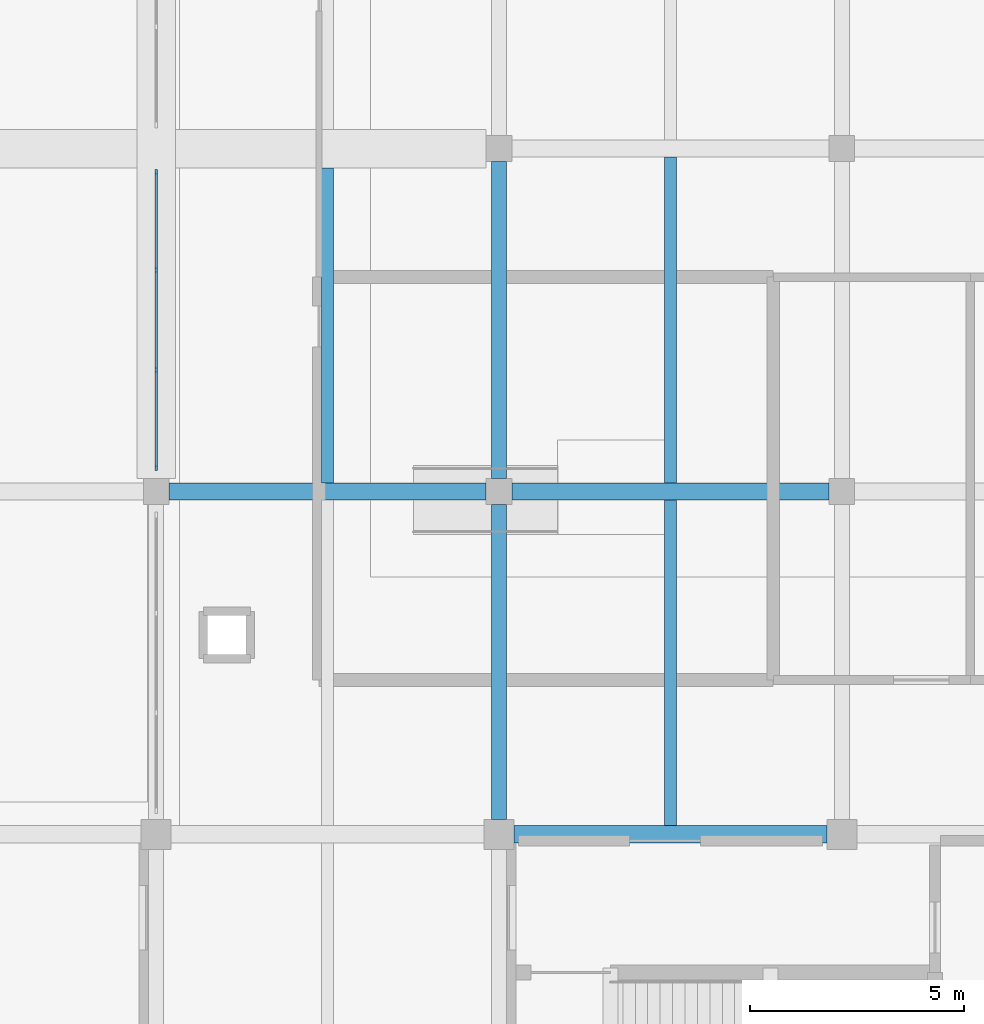
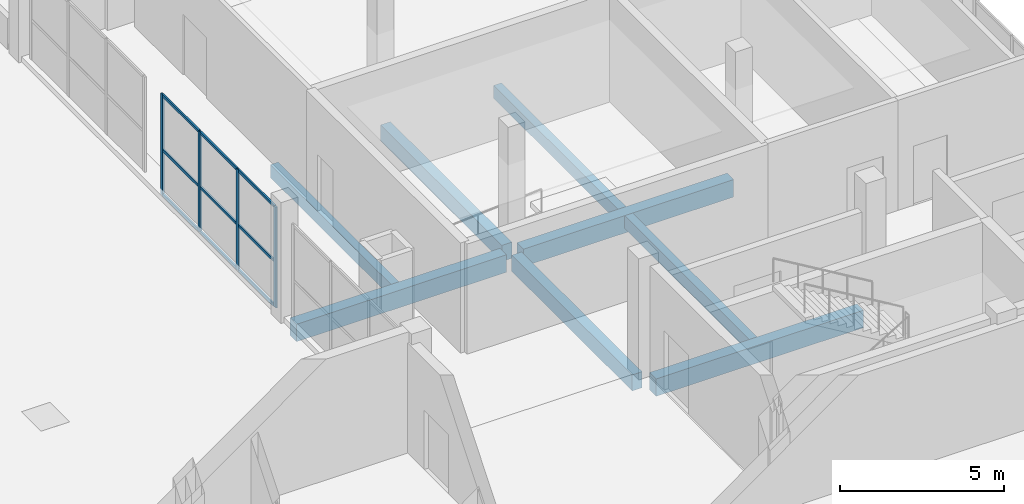
# One storey, part 3 of 14: 13 members, 8 beams, 1 element without a shape of its own.
"""IFC4 building model written with IfcOpenShell, lengths in metres."""

from ifc_helpers import new_model, si_unit, direction, frame, origin, origin_2d, place, context, subcontext, project, spatial, rectangle, extrude, material, layer, layer_set, material_profile, profile_set, type_object, element, aggregate, save


model = new_model("IFC4")

# Units and contexts
model_context = context("Model", 3, precision=1e-05, world=origin(), true_north=direction((0.0, 1.0)))
body_context = subcontext(model_context, "Body", "Model", "MODEL_VIEW")
ifc_project = project(units=[si_unit("LENGTHUNIT", "METRE"), si_unit("AREAUNIT", "SQUARE_METRE"), si_unit("VOLUMEUNIT", "CUBIC_METRE"), si_unit("PLANEANGLEUNIT", "RADIAN"), si_unit("MASSUNIT", "GRAM", prefix="KILO")], contexts=[model_context])

# Site, building, storey
site_placement = place(None, origin())
site = spatial("IfcSite", under=ifc_project, at=site_placement, CompositionType="ELEMENT")
building_placement = place(site_placement, origin())
building = spatial("IfcBuilding", under=site, at=building_placement, Name="Qorikala Patio Media Centre", CompositionType="ELEMENT")
storey_placement = place(building_placement, frame((0.0, 0.0, 23.39990234375)))
storey = spatial("IfcBuildingStorey", under=building, at=storey_placement, Name="L05", CompositionType="ELEMENT", Elevation=23.39990234375)

# Beams
ifc_material_1 = material(Name="Concrete C35/45", Category="concrete")
ifc_material_profile_1 = material_profile(ifc_material_1, rectangle(XDim=0.35009765625, YDim=0.60009765625, at=origin_2d()), Name="RC 350x600")
ifc_profile_set_1 = profile_set([ifc_material_profile_1], Name="Concrete C35/45")
beam_type_1 = type_object("IfcBeamType", Name="BM-G350X600", PredefinedType="BEAM", material=ifc_profile_set_1)
beam_1_placement = place(storey_placement, frame((27.0, 35.35009765625, -0.599853515625), z_axis=(0.0, 1.0, 0.0), x_axis=(-1.0, 0.0, 0.0)))
element("IfcBeam", 1, at=beam_1_placement, inside=storey, type_object=beam_type_1, Name="L05 Grid X=27 Beam 1586", PredefinedType="BEAM", context=body_context, shape_type="SweptSolid", body=[
    extrude(rectangle(XDim=0.35009765625, YDim=0.60009765625, at=origin_2d()), origin(), (0.0, 0.0, 1.0), 7.349853515625),
])
beam_2_placement = place(storey_placement, frame((27.0, 43.300048828125, -0.599853515625), z_axis=(0.0, 1.0, 0.0), x_axis=(-1.0, 0.0, 0.0)))
element("IfcBeam", 2, at=beam_2_placement, inside=storey, type_object=beam_type_1, Name="L05 Grid X=27 Beam 1587", PredefinedType="BEAM", context=body_context, shape_type="SweptSolid", body=[
    extrude(rectangle(XDim=0.35009765625, YDim=0.60009765625, at=origin_2d()), origin(), (0.0, 0.0, 1.0), 7.39990234375),
])
ifc_material_profile_2 = material_profile(ifc_material_1, rectangle(XDim=0.39990234375, YDim=0.64990234375, at=origin_2d()), Name="RC 400x650")
ifc_profile_set_2 = profile_set([ifc_material_profile_2], Name="Concrete C35/45")
beam_type_2 = type_object("IfcBeamType", Name="BM-G400X650", PredefinedType="BEAM", material=ifc_profile_set_2)
beam_3_placement = place(storey_placement, frame((27.35009765625, 35.0, -0.625), z_axis=(1.0, 0.0, 0.0), x_axis=(0.0, 1.0, 0.0)))
element("IfcBeam", 3, at=beam_3_placement, inside=storey, type_object=beam_type_2, Name="L05 Grid 35 Beam 1534", PredefinedType="BEAM", context=body_context, shape_type="SweptSolid", body=[
    extrude(rectangle(XDim=0.39990234375, YDim=0.64990234375, at=origin_2d()), origin(), (0.0, 0.0, 1.0), 7.2998046875),
])
for number, where, z_axis, x_axis, name in (
    (4, (19.300048828125, 43.0, -0.625), (1.0, 0.0, 0.0), (0.0, 1.0, 0.0), "L05 Grid 43 Beam 1538"),
    (5, (27.300048828125, 43.0, -0.625), (1.0, 0.0, 0.0), (0.0, 1.0, 0.0), "L05 Grid 43 Beam 1539"),
):
    element("IfcBeam", number, at=place(storey_placement, frame(where, z_axis=z_axis, x_axis=x_axis)), inside=storey, type_object=beam_type_2, Name=name, PredefinedType="BEAM", context=body_context, shape_type="SweptSolid", body=[
        extrude(rectangle(XDim=0.39990234375, YDim=0.64990234375, at=origin_2d()), origin(), (0.0, 0.0, 1.0), 7.39990234375),
    ])

# Curtain wall, members
ifc_material_2 = material(Name="Bronze Anodised Aluminium and Low-E Glass", Category="aluminium")
ifc_layer = layer(ifc_material_2, 0.159912109375)
ifc_layer_set = layer_set([ifc_layer], Name="Bronze Anodised Aluminium and Low-E Glass")
curtain_wall_type = type_object("IfcCurtainWallType", Name="CW-PAV-696X375", PredefinedType="USERDEFINED", material=ifc_layer_set)
curtain_wall_placement = place(storey_placement, origin())
curtain_wall = element("IfcCurtainWall", 6, at=curtain_wall_placement, inside=storey, type_object=curtain_wall_type, Name="L05 Courtyard Curtain Wall 093", ObjectType="COURTYARD CURTAIN WALL", PredefinedType="USERDEFINED")
ifc_material_3 = material(Name="Bronze Anodised Aluminium", Category="aluminium")
ifc_material_profile_3 = material_profile(ifc_material_3, rectangle(XDim=0.06005859375, YDim=0.1298828125, at=origin_2d()), Name="ALU MULLION 60x130")
ifc_profile_set_3 = profile_set([ifc_material_profile_3], Name="Bronze Anodised Aluminium")
member_type_1 = type_object("IfcMemberType", Name="CWM-60X130", PredefinedType="MULLION", material=ifc_profile_set_3)
member_1_placement = place(storey_placement, frame((19.0, 43.550048828125, 0.0), z_axis=(0.0, 0.0, 1.0), x_axis=(-1.0, 0.0, 0.0)))
member_1 = element("IfcMember", 7, at=member_1_placement, type_object=member_type_1, Name="CWP696375 mullion 1", PredefinedType="MULLION", context=body_context, shape_type="SweptSolid", body=[
    extrude(rectangle(XDim=0.06005859375, YDim=0.1298828125, at=origin_2d()), origin(), (0.0, 0.0, 1.0), 3.75),
])
member_2_placement = place(storey_placement, frame((19.0, 45.840087890625, 0.0), z_axis=(0.0, 0.0, 1.0), x_axis=(-1.0, 0.0, 0.0)))
member_2 = element("IfcMember", 8, at=member_2_placement, type_object=member_type_1, Name="CWP696375 mullion 2", PredefinedType="MULLION", context=body_context, shape_type="SweptSolid", body=[
    extrude(rectangle(XDim=0.06005859375, YDim=0.1298828125, at=origin_2d()), origin(), (0.0, 0.0, 1.0), 3.75),
])
member_3_placement = place(storey_placement, frame((19.0, 48.159912109375, 0.0), z_axis=(0.0, 0.0, 1.0), x_axis=(-1.0, 0.0, 0.0)))
member_3 = element("IfcMember", 9, at=member_3_placement, type_object=member_type_1, Name="CWP696375 mullion 3", PredefinedType="MULLION", context=body_context, shape_type="SweptSolid", body=[
    extrude(rectangle(XDim=0.06005859375, YDim=0.1298828125, at=origin_2d()), origin(), (0.0, 0.0, 1.0), 3.75),
])
member_4_placement = place(storey_placement, frame((19.0, 50.449951171875, 0.0), z_axis=(0.0, 0.0, 1.0), x_axis=(-1.0, 0.0, 0.0)))
member_4 = element("IfcMember", 10, at=member_4_placement, type_object=member_type_1, Name="CWP696375 mullion 4", PredefinedType="MULLION", context=body_context, shape_type="SweptSolid", body=[
    extrude(rectangle(XDim=0.06005859375, YDim=0.1298828125, at=origin_2d()), origin(), (0.0, 0.0, 1.0), 3.75),
])
ifc_material_profile_4 = material_profile(ifc_material_3, rectangle(XDim=0.06005859375, YDim=0.10009765625, at=origin_2d()), Name="ALU TRANSOM 60x100")
ifc_profile_set_4 = profile_set([ifc_material_profile_4], Name="Bronze Anodised Aluminium")
member_type_2 = type_object("IfcMemberType", Name="CWT-60X100", PredefinedType="USERDEFINED", material=ifc_profile_set_4)
member_5_placement = place(storey_placement, frame((19.0, 43.580078125, 0.030029296875), z_axis=(0.0, 1.0, 0.0), x_axis=(-1.0, 0.0, 0.0)))
member_5 = element("IfcMember", 11, at=member_5_placement, type_object=member_type_2, Name="CWP696375 transom 1.1", ObjectType="TRANSOM", PredefinedType="USERDEFINED", context=body_context, shape_type="SweptSolid", body=[
    extrude(rectangle(XDim=0.06005859375, YDim=0.10009765625, at=origin_2d()), origin(), (0.0, 0.0, 1.0), 2.22998046875),
])
member_6_placement = place(storey_placement, frame((19.0, 43.580078125, 1.6875), z_axis=(0.0, 1.0, 0.0), x_axis=(-1.0, 0.0, 0.0)))
member_6 = element("IfcMember", 12, at=member_6_placement, type_object=member_type_2, Name="CWP696375 transom 1.2", ObjectType="TRANSOM", PredefinedType="USERDEFINED", context=body_context, shape_type="SweptSolid", body=[
    extrude(rectangle(XDim=0.06005859375, YDim=0.10009765625, at=origin_2d()), origin(), (0.0, 0.0, 1.0), 2.22998046875),
])
member_7_placement = place(storey_placement, frame((19.0, 43.580078125, 3.72021484375), z_axis=(0.0, 1.0, 0.0), x_axis=(-1.0, 0.0, 0.0)))
member_7 = element("IfcMember", 13, at=member_7_placement, type_object=member_type_2, Name="CWP696375 transom 1.3", ObjectType="TRANSOM", PredefinedType="USERDEFINED", context=body_context, shape_type="SweptSolid", body=[
    extrude(rectangle(XDim=0.06005859375, YDim=0.10009765625, at=origin_2d()), origin(), (0.0, 0.0, 1.0), 2.22998046875),
])
member_8_placement = place(storey_placement, frame((19.0, 45.8701171875, 0.030029296875), z_axis=(0.0, 1.0, 0.0), x_axis=(-1.0, 0.0, 0.0)))
member_8 = element("IfcMember", 14, at=member_8_placement, type_object=member_type_2, Name="CWP696375 transom 2.1", ObjectType="TRANSOM", PredefinedType="USERDEFINED", context=body_context, shape_type="SweptSolid", body=[
    extrude(rectangle(XDim=0.06005859375, YDim=0.10009765625, at=origin_2d()), origin(), (0.0, 0.0, 1.0), 2.259765625),
])
member_9_placement = place(storey_placement, frame((19.0, 45.8701171875, 1.6875), z_axis=(0.0, 1.0, 0.0), x_axis=(-1.0, 0.0, 0.0)))
member_9 = element("IfcMember", 15, at=member_9_placement, type_object=member_type_2, Name="CWP696375 transom 2.2", ObjectType="TRANSOM", PredefinedType="USERDEFINED", context=body_context, shape_type="SweptSolid", body=[
    extrude(rectangle(XDim=0.06005859375, YDim=0.10009765625, at=origin_2d()), origin(), (0.0, 0.0, 1.0), 2.259765625),
])
member_10_placement = place(storey_placement, frame((19.0, 45.8701171875, 3.72021484375), z_axis=(0.0, 1.0, 0.0), x_axis=(-1.0, 0.0, 0.0)))
member_10 = element("IfcMember", 16, at=member_10_placement, type_object=member_type_2, Name="CWP696375 transom 2.3", ObjectType="TRANSOM", PredefinedType="USERDEFINED", context=body_context, shape_type="SweptSolid", body=[
    extrude(rectangle(XDim=0.06005859375, YDim=0.10009765625, at=origin_2d()), origin(), (0.0, 0.0, 1.0), 2.259765625),
])
member_11_placement = place(storey_placement, frame((19.0, 48.18994140625, 0.030029296875), z_axis=(0.0, 1.0, 0.0), x_axis=(-1.0, 0.0, 0.0)))
member_11 = element("IfcMember", 17, at=member_11_placement, type_object=member_type_2, Name="CWP696375 transom 3.1", ObjectType="TRANSOM", PredefinedType="USERDEFINED", context=body_context, shape_type="SweptSolid", body=[
    extrude(rectangle(XDim=0.06005859375, YDim=0.10009765625, at=origin_2d()), origin(), (0.0, 0.0, 1.0), 2.22998046875),
])
member_12_placement = place(storey_placement, frame((19.0, 48.18994140625, 1.6875), z_axis=(0.0, 1.0, 0.0), x_axis=(-1.0, 0.0, 0.0)))
member_12 = element("IfcMember", 18, at=member_12_placement, type_object=member_type_2, Name="CWP696375 transom 3.2", ObjectType="TRANSOM", PredefinedType="USERDEFINED", context=body_context, shape_type="SweptSolid", body=[
    extrude(rectangle(XDim=0.06005859375, YDim=0.10009765625, at=origin_2d()), origin(), (0.0, 0.0, 1.0), 2.22998046875),
])
member_13_placement = place(storey_placement, frame((19.0, 48.18994140625, 3.72021484375), z_axis=(0.0, 1.0, 0.0), x_axis=(-1.0, 0.0, 0.0)))
member_13 = element("IfcMember", 19, at=member_13_placement, type_object=member_type_2, Name="CWP696375 transom 3.3", ObjectType="TRANSOM", PredefinedType="USERDEFINED", context=body_context, shape_type="SweptSolid", body=[
    extrude(rectangle(XDim=0.06005859375, YDim=0.10009765625, at=origin_2d()), origin(), (0.0, 0.0, 1.0), 2.22998046875),
])
aggregate(curtain_wall, [member_1, member_2, member_3, member_4, member_5, member_6, member_7, member_8, member_9, member_10, member_11, member_12, member_13])

# Beams
ifc_material_profile_5 = material_profile(ifc_material_1, rectangle(XDim=0.280029296875, YDim=0.47998046875, at=origin_2d()), Name="RC 280x480")
ifc_profile_set_5 = profile_set([ifc_material_profile_5], Name="Concrete C35/45")
beam_type_3 = type_object("IfcBeamType", Name="JS-280X480", PredefinedType="JOIST", material=ifc_profile_set_5)
beam_4_placement = place(storey_placement, frame((23.0, 43.199951171875, -0.539794921875), z_axis=(0.0, 1.0, 0.0), x_axis=(-1.0, 0.0, 0.0)))
element("IfcBeam", 20, at=beam_4_placement, inside=storey, type_object=beam_type_3, Name="L05 Secondary Joist 1642", PredefinedType="JOIST", context=body_context, shape_type="SweptSolid", body=[
    extrude(rectangle(XDim=0.280029296875, YDim=0.47998046875, at=origin_2d()), origin(), (0.0, 0.0, 1.0), 7.35009765625),
])
for number, where, z_axis, x_axis, name in (
    (21, (31.0, 35.199951171875, -0.539794921875), (0.0, 1.0, 0.0), (-1.0, 0.0, 0.0), "L05 Secondary Joist 1647"),
    (22, (31.0, 43.199951171875, -0.539794921875), (0.0, 1.0, 0.0), (-1.0, 0.0, 0.0), "L05 Secondary Joist 1648"),
):
    element("IfcBeam", number, at=place(storey_placement, frame(where, z_axis=z_axis, x_axis=x_axis)), inside=storey, type_object=beam_type_3, Name=name, PredefinedType="JOIST", context=body_context, shape_type="SweptSolid", body=[
        extrude(rectangle(XDim=0.280029296875, YDim=0.47998046875, at=origin_2d()), origin(), (0.0, 0.0, 1.0), 7.60009765625),
    ])

save(model, "model.ifc")
